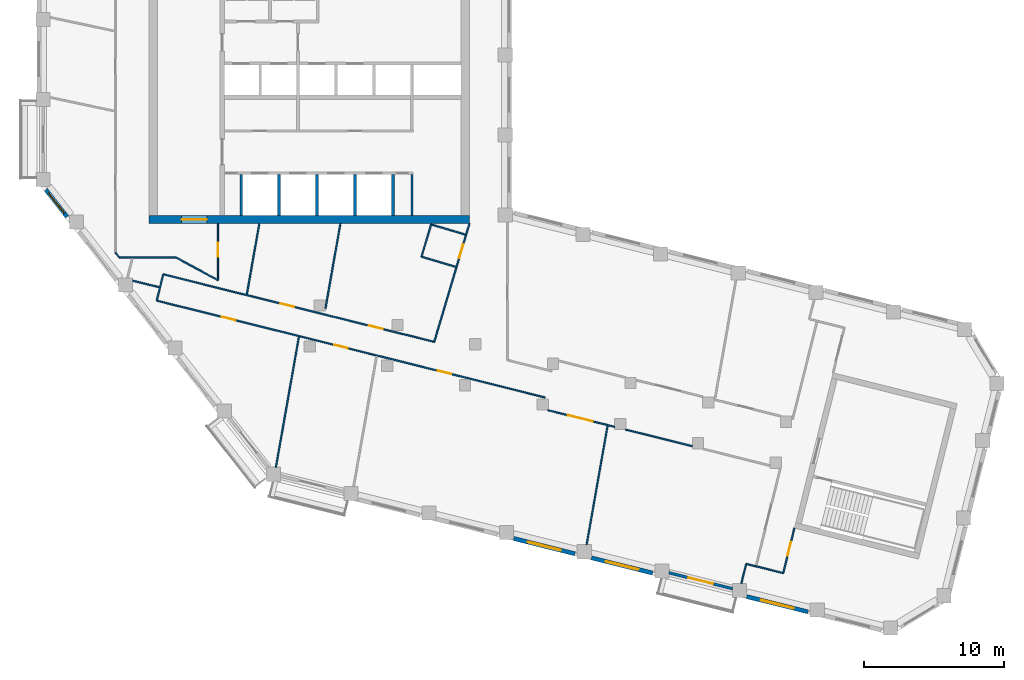
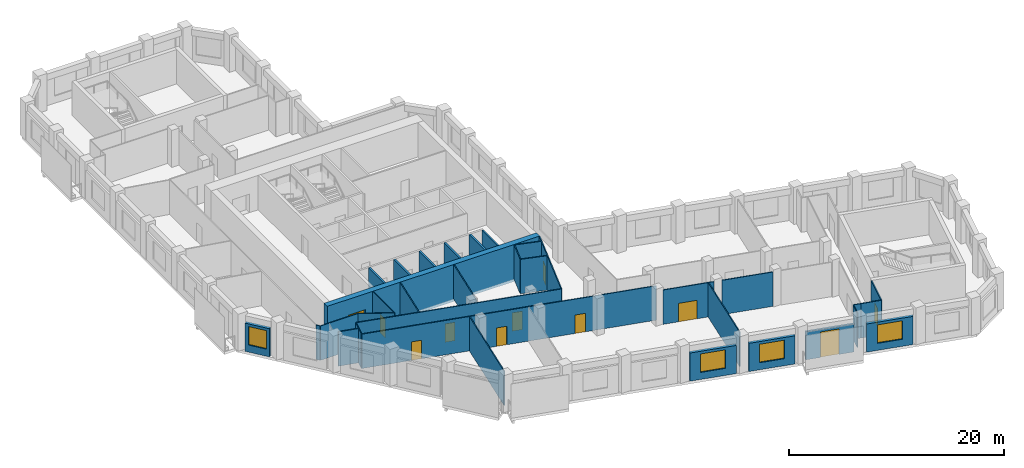
# One storey, part 3 of 9: 34 walls, 11 doors, 4 windows, 15 openings.
"""IFC4 building model written with IfcOpenShell, lengths in metres."""

from ifc_helpers import new_model, si_unit, direction, frame, frame_2d, origin, place, context, subcontext, project, spatial, rectangle, extrude, material, layer, layer_set, type_object, element, fill, save


model = new_model("IFC4")

# Units and contexts
model_context = context("Model", 3, precision=1e-05, world=origin(), true_north=direction((0.0, 1.0)))
body_context = subcontext(model_context, "Body", "Model", "MODEL_VIEW")
ifc_project = project(units=[si_unit("LENGTHUNIT", "METRE"), si_unit("AREAUNIT", "SQUARE_METRE"), si_unit("VOLUMEUNIT", "CUBIC_METRE"), si_unit("PLANEANGLEUNIT", "RADIAN"), si_unit("MASSUNIT", "GRAM", prefix="KILO")], contexts=[model_context])

# Site, building, storey
site_placement = place(None, origin())
site = spatial("IfcSite", under=ifc_project, at=site_placement, CompositionType="ELEMENT")
building_placement = place(site_placement, origin())
building = spatial("IfcBuilding", under=site, at=building_placement, Name="Meshkara Civic Tower", CompositionType="ELEMENT")
storey_placement = place(building_placement, frame((0.0, 0.0, 294.0)))
storey = spatial("IfcBuildingStorey", under=building, at=storey_placement, Name="L67", CompositionType="ELEMENT", Elevation=294.0)

# Wall
ifc_material_1 = material(Name="Blockwork", Category="masonry")
ifc_layer_1 = layer(ifc_material_1, 0.14990234375)
ifc_layer_set_1 = layer_set([ifc_layer_1], Name="Core partition 150")
wall_type_1 = type_object("IfcWallType", Name="Core partition 150", PredefinedType="PARTITIONING", material=ifc_layer_set_1)
wall_1_placement = place(storey_placement, frame((26.699951171875, 14.699951171875, 0.0), z_axis=(0.0, 0.0, 1.0), x_axis=(0.0, 1.0, 0.0)))
element("IfcWall", 1, at=wall_1_placement, inside=storey, type_object=wall_type_1, Name="L67-C024", PredefinedType="PARTITIONING", context=body_context, shape_type="SweptSolid", body=[
    extrude(rectangle(XDim=2.900146484375, YDim=0.14990234375, at=frame_2d((1.4501953125, 0.0))), origin(), (0.0, 0.0, 1.0), 3.89990234375),
])

# Wall, opening, door
ifc_material_2 = material(Name="Concrete C60", Category="concrete")
ifc_layer_2 = layer(ifc_material_2, 0.60009765625)
ifc_layer_set_2 = layer_set([ifc_layer_2], Name="Core ring wall 600 C60")
wall_type_2 = type_object("IfcWallType", Name="Core ring wall 600 C60", PredefinedType="SHEAR", material=ifc_layer_set_2)
wall_2_placement = place(storey_placement, frame((8.0, 14.39990234375, -0.300048828125), z_axis=(0.0, 0.0, 1.0), x_axis=(1.0, 0.0, 0.0)))
wall_2 = element("IfcWall", 2, at=wall_2_placement, inside=storey, type_object=wall_type_2, Name="L67-C001", PredefinedType="SHEAR", context=body_context, shape_type="SweptSolid", body=[
    extrude(rectangle(XDim=22.800048828125, YDim=0.60009765625, at=frame_2d((11.39990234375, 0.0))), origin(), (0.0, 0.0, 1.0), 4.199951171875),
])
opening_1_placement = place(wall_2_placement, frame((2.300048828125, 0.0, 0.300048828125)))
opening_1 = element("IfcOpeningElement", 3, at=opening_1_placement, cuts=wall_2, Name="Opening L67-K021", PredefinedType="OPENING", context=body_context, shape_type="SweptSolid", body=[
    extrude(rectangle(XDim=1.800048828125, YDim=2.10009765625, at=frame_2d((0.89990234375, 1.050048828125))), frame((0.0, 0.31005859375, 0.0), z_axis=(0.0, -1.0, 0.0), x_axis=(1.0, 0.0, 0.0)), (0.0, 0.0, 1.0), 0.6201171875),
])
ifc_material_3 = material(Name="Fire-rated door leaf in steel frame", Category="steel")
door_type_1 = type_object("IfcDoorType", Name="Core double door 1800 EI 60", OperationType="DOUBLE_DOOR_SINGLE_SWING", PredefinedType="DOOR", material=ifc_material_3)
door_1_placement = place(opening_1_placement, origin())
door_1 = element("IfcDoor", 4, at=door_1_placement, inside=storey, type_object=door_type_1, Name="L67-K021", OperationType="DOUBLE_DOOR_SINGLE_SWING", OverallHeight=2.10009765625, OverallWidth=1.800048828125, PredefinedType="DOOR", context=body_context, shape_type="SweptSolid", body=[
    extrude(rectangle(XDim=1.800048828125, YDim=2.10009765625, at=frame_2d((0.89990234375, 1.050048828125))), frame((0.0, 0.02490234375, 0.0), z_axis=(0.0, -1.0, 0.0), x_axis=(1.0, 0.0, 0.0)), (0.0, 0.0, 1.0), 0.050048828125),
])
fill(opening_1, door_1)

# Walls
ifc_material_4 = material(Name="Corridor wall 100")
ifc_layer_3 = layer(ifc_material_4, 0.10009765625)
ifc_layer_set_3 = layer_set([ifc_layer_3], Name="Corridor wall 100")
wall_type_3 = type_object("IfcWallType", Name="Corridor wall 100", PredefinedType="PARTITIONING", material=ifc_layer_set_3)
wall_3_placement = place(storey_placement, frame((5.60009765625, 12.04296875, 0.0), z_axis=(0.0, 0.0, 1.0), x_axis=(0.615415398102, -0.788202948344, 0.0)))
element("IfcWall", 5, at=wall_3_placement, inside=storey, type_object=wall_type_3, Name="L67-W004", PredefinedType="PARTITIONING", context=body_context, shape_type="SweptSolid", body=[
    extrude(rectangle(XDim=0.435302734375, YDim=0.10009765625, at=frame_2d((0.2177734375, 0.0))), origin(), (0.0, 0.0, 1.0), 3.89990234375),
])
wall_4_placement = place(storey_placement, frame((5.867919921875, 11.699951171875, 0.0), z_axis=(0.0, 0.0, 1.0), x_axis=(1.0, 0.0, 0.0)))
element("IfcWall", 6, at=wall_4_placement, inside=storey, type_object=wall_type_3, Name="L67-W006", PredefinedType="PARTITIONING", context=body_context, shape_type="SweptSolid", body=[
    extrude(rectangle(XDim=4.031982421875, YDim=0.10009765625, at=frame_2d((2.01611328125, 0.0))), origin(), (0.0, 0.0, 1.0), 3.89990234375),
])

# Wall, openings, doors
wall_5_placement = place(storey_placement, frame((8.534912109375, 8.6259765625, 0.0), z_axis=(0.0, 0.0, 1.0), x_axis=(0.970294986727, -0.241924861749, 0.0)))
wall_5 = element("IfcWall", 7, at=wall_5_placement, inside=storey, type_object=wall_type_3, Name="L67-W007", PredefinedType="PARTITIONING", context=body_context, shape_type="SweptSolid", body=[
    extrude(rectangle(XDim=28.500732421875, YDim=0.10009765625, at=frame_2d((14.25048828125, 0.0))), origin(), (0.0, 0.0, 1.0), 3.89990234375),
])
opening_2_placement = place(wall_5_placement, frame((13.02197265625, 0.0, 0.0)))
opening_2 = element("IfcOpeningElement", 8, at=opening_2_placement, cuts=wall_5, Name="Opening L67-D003", PredefinedType="OPENING", context=body_context, shape_type="SweptSolid", body=[
    extrude(rectangle(XDim=1.0, YDim=2.10009765625, at=frame_2d((0.5, 1.050048828125))), frame((0.0, 0.06005859375, 0.0), z_axis=(0.0, -1.0, 0.0), x_axis=(1.0, 0.0, 0.0)), (0.0, 0.0, 1.0), 0.1201171875),
])
opening_3_placement = place(wall_5_placement, frame((20.6220703125, 0.0, 0.0)))
opening_3 = element("IfcOpeningElement", 9, at=opening_3_placement, cuts=wall_5, Name="Opening L67-D004", PredefinedType="OPENING", context=body_context, shape_type="SweptSolid", body=[
    extrude(rectangle(XDim=1.0, YDim=2.10009765625, at=frame_2d((0.5, 1.050048828125))), frame((0.0, 0.06005859375, 0.0), z_axis=(0.0, -1.0, 0.0), x_axis=(1.0, 0.0, 0.0)), (0.0, 0.0, 1.0), 0.1201171875),
])
opening_4_placement = place(wall_5_placement, frame((4.780029296875, 0.0, 0.0)))
opening_4 = element("IfcOpeningElement", 10, at=opening_4_placement, cuts=wall_5, Name="Opening L67-D009", PredefinedType="OPENING", context=body_context, shape_type="SweptSolid", body=[
    extrude(rectangle(XDim=1.0, YDim=2.10009765625, at=frame_2d((0.5, 1.050048828125))), frame((0.0, 0.06005859375, 0.0), z_axis=(0.0, -1.0, 0.0), x_axis=(1.0, 0.0, 0.0)), (0.0, 0.0, 1.0), 0.1201171875),
])
ifc_material_5 = material(Name="Door 1000 x 2100")
door_type_2 = type_object("IfcDoorType", Name="Door 1000 x 2100", OperationType="SINGLE_SWING_LEFT", PredefinedType="DOOR", material=ifc_material_5)
door_2_placement = place(opening_2_placement, origin())
door_2 = element("IfcDoor", 11, at=door_2_placement, inside=storey, type_object=door_type_2, Name="L67-D003", OperationType="SINGLE_SWING_LEFT", OverallHeight=2.10009765625, OverallWidth=1.0, PredefinedType="DOOR", context=body_context, shape_type="SweptSolid", body=[
    extrude(rectangle(XDim=1.0, YDim=2.10009765625, at=frame_2d((0.5, 1.050048828125))), frame((0.0, 0.02490234375, 0.0), z_axis=(0.0, -1.0, 0.0), x_axis=(1.0, 0.0, 0.0)), (0.0, 0.0, 1.0), 0.050048828125),
])
fill(opening_2, door_2)
door_3_placement = place(opening_3_placement, origin())
door_3 = element("IfcDoor", 12, at=door_3_placement, inside=storey, type_object=door_type_2, Name="L67-D004", OperationType="SINGLE_SWING_RIGHT", OverallHeight=2.10009765625, OverallWidth=1.0, PredefinedType="DOOR", context=body_context, shape_type="SweptSolid", body=[
    extrude(rectangle(XDim=1.0, YDim=2.10009765625, at=frame_2d((0.5, 1.050048828125))), frame((0.0, 0.02490234375, 0.0), z_axis=(0.0, -1.0, 0.0), x_axis=(1.0, 0.0, 0.0)), (0.0, 0.0, 1.0), 0.050048828125),
])
fill(opening_3, door_3)
door_4_placement = place(opening_4_placement, origin())
door_4 = element("IfcDoor", 13, at=door_4_placement, inside=storey, type_object=door_type_2, Name="L67-D009", OperationType="SINGLE_SWING_LEFT", OverallHeight=2.10009765625, OverallWidth=1.0, PredefinedType="DOOR", context=body_context, shape_type="SweptSolid", body=[
    extrude(rectangle(XDim=1.0, YDim=2.10009765625, at=frame_2d((0.5, 1.050048828125))), frame((0.0, 0.02490234375, 0.0), z_axis=(0.0, -1.0, 0.0), x_axis=(1.0, 0.0, 0.0)), (0.0, 0.0, 1.0), 0.050048828125),
])
fill(opening_4, door_4)

wall_6_placement = place(storey_placement, frame((9.001953125, 10.4990234375, 0.0), z_axis=(0.0, 0.0, 1.0), x_axis=(0.970298340477, -0.241911410372, 0.0)))
wall_6 = element("IfcWall", 14, at=wall_6_placement, inside=storey, type_object=wall_type_3, Name="L67-W008", PredefinedType="PARTITIONING", context=body_context, shape_type="SweptSolid", body=[
    extrude(rectangle(XDim=19.879638671875, YDim=0.10009765625, at=frame_2d((9.93994140625, 0.0))), origin(), (0.0, 0.0, 1.0), 3.89990234375),
])
opening_5_placement = place(wall_6_placement, frame((8.596923828125, 0.0, 0.0)))
opening_5 = element("IfcOpeningElement", 15, at=opening_5_placement, cuts=wall_6, Name="Opening L67-D010", PredefinedType="OPENING", context=body_context, shape_type="SweptSolid", body=[
    extrude(rectangle(XDim=1.0, YDim=2.10009765625, at=frame_2d((0.5, 1.050048828125))), frame((0.0, 0.06005859375, 0.0), z_axis=(0.0, -1.0, 0.0), x_axis=(1.0, 0.0, 0.0)), (0.0, 0.0, 1.0), 0.1201171875),
])
opening_6_placement = place(wall_6_placement, frame((15.097900390625, 0.0, 0.0)))
opening_6 = element("IfcOpeningElement", 16, at=opening_6_placement, cuts=wall_6, Name="Opening L67-D011", PredefinedType="OPENING", context=body_context, shape_type="SweptSolid", body=[
    extrude(rectangle(XDim=1.0, YDim=2.10009765625, at=frame_2d((0.5, 1.050048828125))), frame((0.0, 0.06005859375, 0.0), z_axis=(0.0, -1.0, 0.0), x_axis=(1.0, 0.0, 0.0)), (0.0, 0.0, 1.0), 0.1201171875),
])
door_5_placement = place(opening_5_placement, origin())
door_5 = element("IfcDoor", 17, at=door_5_placement, inside=storey, type_object=door_type_2, Name="L67-D010", OperationType="SINGLE_SWING_RIGHT", OverallHeight=2.10009765625, OverallWidth=1.0, PredefinedType="DOOR", context=body_context, shape_type="SweptSolid", body=[
    extrude(rectangle(XDim=1.0, YDim=2.10009765625, at=frame_2d((0.5, 1.050048828125))), frame((0.0, 0.02490234375, 0.0), z_axis=(0.0, -1.0, 0.0), x_axis=(1.0, 0.0, 0.0)), (0.0, 0.0, 1.0), 0.050048828125),
])
fill(opening_5, door_5)
door_6_placement = place(opening_6_placement, origin())
door_6 = element("IfcDoor", 18, at=door_6_placement, inside=storey, type_object=door_type_2, Name="L67-D011", OperationType="SINGLE_SWING_LEFT", OverallHeight=2.10009765625, OverallWidth=1.0, PredefinedType="DOOR", context=body_context, shape_type="SweptSolid", body=[
    extrude(rectangle(XDim=1.0, YDim=2.10009765625, at=frame_2d((0.5, 1.050048828125))), frame((0.0, 0.02490234375, 0.0), z_axis=(0.0, -1.0, 0.0), x_axis=(1.0, 0.0, 0.0)), (0.0, 0.0, 1.0), 0.050048828125),
])
fill(opening_6, door_6)

# Walls
wall_7_placement = place(storey_placement, frame((9.001953125, 10.4990234375, 0.0), z_axis=(0.0, 0.0, 1.0), x_axis=(-0.241940418317, -0.970291107856, 0.0)))
element("IfcWall", 19, at=wall_7_placement, inside=storey, type_object=wall_type_3, Name="L67-W009", PredefinedType="PARTITIONING", context=body_context, shape_type="SweptSolid", body=[
    extrude(rectangle(XDim=1.930419921875, YDim=0.10009765625, at=frame_2d((0.96533203125, 0.0))), origin(), (0.0, 0.0, 1.0), 3.89990234375),
])
wall_8_placement = place(storey_placement, frame((9.89990234375, 11.699951171875, 0.0), z_axis=(0.0, 0.0, 1.0), x_axis=(0.87965147249, -0.475618846291, 0.0)))
element("IfcWall", 20, at=wall_8_placement, inside=storey, type_object=wall_type_3, Name="L67-W010", PredefinedType="PARTITIONING", context=body_context, shape_type="SweptSolid", body=[
    extrude(rectangle(XDim=3.410400390625, YDim=0.10009765625, at=frame_2d((1.705078125, 0.0))), origin(), (0.0, 0.0, 1.0), 3.89990234375),
])

# Wall, opening, door
wall_9_placement = place(storey_placement, frame((12.89990234375, 10.077880859375, 0.0), z_axis=(0.0, 0.0, 1.0), x_axis=(0.0, 1.0, 0.0)))
wall_9 = element("IfcWall", 21, at=wall_9_placement, inside=storey, type_object=wall_type_3, Name="L67-W015", PredefinedType="PARTITIONING", context=body_context, shape_type="SweptSolid", body=[
    extrude(rectangle(XDim=4.022216796875, YDim=0.10009765625, at=frame_2d((2.01123046875, 0.0))), origin(), (0.0, 0.0, 1.0), 3.89990234375),
])
opening_7_placement = place(wall_9_placement, frame((1.679931640625, 0.0, 0.0)))
opening_7 = element("IfcOpeningElement", 22, at=opening_7_placement, cuts=wall_9, Name="Opening L67-D014", PredefinedType="OPENING", context=body_context, shape_type="SweptSolid", body=[
    extrude(rectangle(XDim=1.0, YDim=2.10009765625, at=frame_2d((0.5, 1.050048828125))), frame((0.0, 0.06005859375, 0.0), z_axis=(0.0, -1.0, 0.0), x_axis=(1.0, 0.0, 0.0)), (0.0, 0.0, 1.0), 0.1201171875),
])
door_7_placement = place(opening_7_placement, origin())
door_7 = element("IfcDoor", 23, at=door_7_placement, inside=storey, type_object=door_type_2, Name="L67-D014", OperationType="SINGLE_SWING_LEFT", OverallHeight=2.10009765625, OverallWidth=1.0, PredefinedType="DOOR", context=body_context, shape_type="SweptSolid", body=[
    extrude(rectangle(XDim=1.0, YDim=2.10009765625, at=frame_2d((0.5, 1.050048828125))), frame((0.0, 0.02490234375, 0.0), z_axis=(0.0, -1.0, 0.0), x_axis=(1.0, 0.0, 0.0)), (0.0, 0.0, 1.0), 0.050048828125),
])
fill(opening_7, door_7)

wall_10_placement = place(storey_placement, frame((28.291015625, 5.68994140625, 0.0), z_axis=(0.0, 0.0, 1.0), x_axis=(0.28588265334, 0.958264633867, 0.0)))
wall_10 = element("IfcWall", 24, at=wall_10_placement, inside=storey, type_object=wall_type_3, Name="L67-W018", PredefinedType="PARTITIONING", context=body_context, shape_type="SweptSolid", body=[
    extrude(rectangle(XDim=8.7763671875, YDim=0.10009765625, at=frame_2d((4.38818359375, 0.0))), origin(), (0.0, 0.0, 1.0), 3.89990234375),
])
opening_8_placement = place(wall_10_placement, frame((6.22998046875, 0.0, 0.0)))
opening_8 = element("IfcOpeningElement", 25, at=opening_8_placement, cuts=wall_10, Name="Opening L67-D015", PredefinedType="OPENING", context=body_context, shape_type="SweptSolid", body=[
    extrude(rectangle(XDim=1.0, YDim=2.10009765625, at=frame_2d((0.5, 1.050048828125))), frame((0.0, 0.06005859375, 0.0), z_axis=(0.0, -1.0, 0.0), x_axis=(1.0, 0.0, 0.0)), (0.0, 0.0, 1.0), 0.1201171875),
])
door_8_placement = place(opening_8_placement, origin())
door_8 = element("IfcDoor", 26, at=door_8_placement, inside=storey, type_object=door_type_2, Name="L67-D015", OperationType="SINGLE_SWING_LEFT", OverallHeight=2.10009765625, OverallWidth=1.0, PredefinedType="DOOR", context=body_context, shape_type="SweptSolid", body=[
    extrude(rectangle(XDim=1.0, YDim=2.10009765625, at=frame_2d((0.5, 1.050048828125))), frame((0.0, 0.02490234375, 0.0), z_axis=(0.0, -1.0, 0.0), x_axis=(1.0, 0.0, 0.0)), (0.0, 0.0, 1.0), 0.050048828125),
])
fill(opening_8, door_8)

wall_11_placement = place(storey_placement, frame((36.3798828125, 0.822998046875, 0.0), z_axis=(0.0, 0.0, 1.0), x_axis=(0.970311839682, -0.241857259087, 0.0)))
wall_11 = element("IfcWall", 27, at=wall_11_placement, inside=storey, type_object=wall_type_3, Name="L67-W021", PredefinedType="PARTITIONING", context=body_context, shape_type="SweptSolid", body=[
    extrude(rectangle(XDim=4.911865234375, YDim=0.10009765625, at=frame_2d((2.4560546875, 0.0))), origin(), (0.0, 0.0, 1.0), 3.89990234375),
])
opening_9_placement = place(wall_11_placement, frame((1.47998046875, 0.0, 0.0)))
opening_9 = element("IfcOpeningElement", 28, at=opening_9_placement, cuts=wall_11, Name="Opening L67-D005", PredefinedType="OPENING", context=body_context, shape_type="SweptSolid", body=[
    extrude(rectangle(XDim=1.800048828125, YDim=2.10009765625, at=frame_2d((0.89990234375, 1.050048828125))), frame((0.0, 0.06005859375, 0.0), z_axis=(0.0, -1.0, 0.0), x_axis=(1.0, 0.0, 0.0)), (0.0, 0.0, 1.0), 0.1201171875),
])
ifc_material_6 = material(Name="Door pair 1800 x 2100")
door_type_3 = type_object("IfcDoorType", Name="Door pair 1800 x 2100", OperationType="SINGLE_SWING_LEFT", PredefinedType="DOOR", material=ifc_material_6)
door_9_placement = place(opening_9_placement, origin())
door_9 = element("IfcDoor", 29, at=door_9_placement, inside=storey, type_object=door_type_3, Name="L67-D005", OperationType="DOUBLE_DOOR_SINGLE_SWING", OverallHeight=2.10009765625, OverallWidth=1.800048828125, PredefinedType="DOOR", context=body_context, shape_type="SweptSolid", body=[
    extrude(rectangle(XDim=1.800048828125, YDim=2.10009765625, at=frame_2d((0.89990234375, 1.050048828125))), frame((0.0, 0.02490234375, 0.0), z_axis=(0.0, -1.0, 0.0), x_axis=(1.0, 0.0, 0.0)), (0.0, 0.0, 1.0), 0.050048828125),
])
fill(opening_9, door_9)

# Walls
wall_12_placement = place(storey_placement, frame((41.9130859375, -0.555908203125, 0.0), z_axis=(0.0, 0.0, 1.0), x_axis=(0.970285656006, -0.241962281665, 0.0)))
element("IfcWall", 30, at=wall_12_placement, inside=storey, type_object=wall_type_3, Name="L67-W023", PredefinedType="PARTITIONING", context=body_context, shape_type="SweptSolid", body=[
    extrude(rectangle(XDim=4.909912109375, YDim=0.10009765625, at=frame_2d((2.455078125, 0.0))), origin(), (0.0, 0.0, 1.0), 3.89990234375),
])
wall_13_placement = place(storey_placement, frame((51.200927734375, -10.2919921875, 0.0), z_axis=(0.0, 0.0, 1.0), x_axis=(0.970307382734, -0.241875139301, 0.0)))
element("IfcWall", 31, at=wall_13_placement, inside=storey, type_object=wall_type_3, Name="L67-W027", PredefinedType="PARTITIONING", context=body_context, shape_type="SweptSolid", body=[
    extrude(rectangle(XDim=2.00048828125, YDim=0.10009765625, at=frame_2d((1.000244140625, 0.0))), origin(), (0.0, 0.0, 1.0), 3.89990234375),
])

# Wall, opening, door
wall_14_placement = place(storey_placement, frame((53.14208984375, -10.77587890625, 0.0), z_axis=(0.0, 0.0, 1.0), x_axis=(0.241786986316, 0.970329352977, 0.0)))
wall_14 = element("IfcWall", 32, at=wall_14_placement, inside=storey, type_object=wall_type_3, Name="L67-W030", PredefinedType="PARTITIONING", context=body_context, shape_type="SweptSolid", body=[
    extrude(rectangle(XDim=3.2998046875, YDim=0.10009765625, at=frame_2d((1.64990234375, 0.0))), origin(), (0.0, 0.0, 1.0), 3.89990234375),
])
opening_10_placement = place(wall_14_placement, frame((1.280029296875, 0.0, 0.0)))
opening_10 = element("IfcOpeningElement", 33, at=opening_10_placement, cuts=wall_14, Name="Opening L67-D002", PredefinedType="OPENING", context=body_context, shape_type="SweptSolid", body=[
    extrude(rectangle(XDim=1.0, YDim=2.10009765625, at=frame_2d((0.5, 1.050048828125))), frame((0.0, 0.06005859375, 0.0), z_axis=(0.0, -1.0, 0.0), x_axis=(1.0, 0.0, 0.0)), (0.0, 0.0, 1.0), 0.1201171875),
])
door_10_placement = place(opening_10_placement, origin())
door_10 = element("IfcDoor", 34, at=door_10_placement, inside=storey, type_object=door_type_2, Name="L67-D002", OperationType="SINGLE_SWING_LEFT", OverallHeight=2.10009765625, OverallWidth=1.0, PredefinedType="DOOR", context=body_context, shape_type="SweptSolid", body=[
    extrude(rectangle(XDim=1.0, YDim=2.10009765625, at=frame_2d((0.5, 1.050048828125))), frame((0.0, 0.02490234375, 0.0), z_axis=(0.0, -1.0, 0.0), x_axis=(1.0, 0.0, 0.0)), (0.0, 0.0, 1.0), 0.050048828125),
])
fill(opening_10, door_10)

# Wall, opening, window
ifc_material_7 = material(Name="Insulated infill panel with bronze anodised aluminium cladding", Category="aluminium")
ifc_layer_4 = layer(ifc_material_7, 0.300048828125)
ifc_layer_set_4 = layer_set([ifc_layer_4], Name="EXTERNAL INFILL WALL 300")
wall_type_4 = type_object("IfcWallType", Name="EXTERNAL INFILL WALL 300", PredefinedType="SOLIDWALL", material=ifc_layer_set_4)
wall_15_placement = place(storey_placement, frame((0.64599609375, 16.51708984375, 0.0), z_axis=(0.0, 0.0, 1.0), x_axis=(0.615610986717, -0.788050197026, 0.0)))
wall_15 = element("IfcWall", 35, at=wall_15_placement, inside=storey, type_object=wall_type_4, Name="External wall", PredefinedType="SOLIDWALL", context=body_context, shape_type="SweptSolid", body=[
    extrude(rectangle(XDim=2.4365234375, YDim=0.300048828125, at=frame_2d((1.21826171875, 0.0))), origin(), (0.0, 0.0, 1.0), 3.199951171875),
])
opening_11_placement = place(wall_15_placement, frame((0.318115234375, 0.0, 0.800048828125)))
opening_11 = element("IfcOpeningElement", 36, at=opening_11_placement, cuts=wall_15, Name="Opening W9", PredefinedType="OPENING", context=body_context, shape_type="SweptSolid", body=[
    extrude(rectangle(XDim=1.800048828125, YDim=2.10009765625, at=frame_2d((0.89990234375, 1.050048828125))), frame((0.0, 0.159912109375, 0.0), z_axis=(0.0, -1.0, 0.0), x_axis=(1.0, 0.0, 0.0)), (0.0, 0.0, 1.0), 0.320068359375),
])
ifc_material_8 = material(Name="Tinted double glazing", Category="glass")
window_type_1 = type_object("IfcWindowType", Name="WINDOW 1800x2100", PartitioningType="DOUBLE_PANEL_VERTICAL", PredefinedType="WINDOW", material=ifc_material_8)
window_1_placement = place(opening_11_placement, origin())
window_1 = element("IfcWindow", 37, at=window_1_placement, inside=storey, type_object=window_type_1, Name="Window", OverallHeight=2.10009765625, OverallWidth=1.800048828125, PartitioningType="DOUBLE_PANEL_VERTICAL", PredefinedType="WINDOW", context=body_context, shape_type="SweptSolid", body=[
    extrude(rectangle(XDim=1.800048828125, YDim=2.10009765625, at=frame_2d((0.89990234375, 1.050048828125))), frame((0.0, 0.030029296875, 0.0), z_axis=(0.0, -1.0, 0.0), x_axis=(1.0, 0.0, 0.0)), (0.0, 0.0, 1.0), 0.06005859375),
])
fill(opening_11, window_1)

wall_16_placement = place(storey_placement, frame((33.958984375, -8.31201171875, 0.0), z_axis=(0.0, 0.0, 1.0), x_axis=(0.970276766004, -0.241997928406, 0.0)))
wall_16 = element("IfcWall", 38, at=wall_16_placement, inside=storey, type_object=wall_type_4, Name="External wall", PredefinedType="SOLIDWALL", context=body_context, shape_type="SweptSolid", body=[
    extrude(rectangle(XDim=4.4873046875, YDim=0.300048828125, at=frame_2d((2.24365234375, 0.0))), origin(), (0.0, 0.0, 1.0), 3.199951171875),
])
opening_12_placement = place(wall_16_placement, frame((1.0439453125, 0.0, 0.800048828125)))
opening_12 = element("IfcOpeningElement", 39, at=opening_12_placement, cuts=wall_16, Name="Opening W7", PredefinedType="OPENING", context=body_context, shape_type="SweptSolid", body=[
    extrude(rectangle(XDim=2.39990234375, YDim=2.10009765625, at=frame_2d((1.199951171875, 1.050048828125))), frame((0.0, 0.159912109375, 0.0), z_axis=(0.0, -1.0, 0.0), x_axis=(1.0, 0.0, 0.0)), (0.0, 0.0, 1.0), 0.320068359375),
])
ifc_material_9 = material(Name="Tinted double glazing", Category="glass")
window_type_2 = type_object("IfcWindowType", Name="WINDOW 2400x2100", PartitioningType="DOUBLE_PANEL_VERTICAL", PredefinedType="WINDOW", material=ifc_material_9)
window_2_placement = place(opening_12_placement, origin())
window_2 = element("IfcWindow", 40, at=window_2_placement, inside=storey, type_object=window_type_2, Name="Window", OverallHeight=2.10009765625, OverallWidth=2.39990234375, PartitioningType="DOUBLE_PANEL_VERTICAL", PredefinedType="WINDOW", context=body_context, shape_type="SweptSolid", body=[
    extrude(rectangle(XDim=2.39990234375, YDim=2.10009765625, at=frame_2d((1.199951171875, 1.050048828125))), frame((0.0, 0.030029296875, 0.0), z_axis=(0.0, -1.0, 0.0), x_axis=(1.0, 0.0, 0.0)), (0.0, 0.0, 1.0), 0.06005859375),
])
fill(opening_12, window_2)

wall_17_placement = place(storey_placement, frame((39.489990234375, -9.69189453125, 0.0), z_axis=(0.0, 0.0, 1.0), x_axis=(0.970302346682, -0.241895341054, 0.0)))
wall_17 = element("IfcWall", 41, at=wall_17_placement, inside=storey, type_object=wall_type_4, Name="External wall", PredefinedType="SOLIDWALL", context=body_context, shape_type="SweptSolid", body=[
    extrude(rectangle(XDim=4.486328125, YDim=0.300048828125, at=frame_2d((2.2431640625, 0.0))), origin(), (0.0, 0.0, 1.0), 3.199951171875),
])
opening_13_placement = place(wall_17_placement, frame((1.0439453125, 0.0, 0.800048828125)))
opening_13 = element("IfcOpeningElement", 42, at=opening_13_placement, cuts=wall_17, Name="Opening W7", PredefinedType="OPENING", context=body_context, shape_type="SweptSolid", body=[
    extrude(rectangle(XDim=2.39990234375, YDim=2.10009765625, at=frame_2d((1.199951171875, 1.050048828125))), frame((0.0, 0.159912109375, 0.0), z_axis=(0.0, -1.0, 0.0), x_axis=(1.0, 0.0, 0.0)), (0.0, 0.0, 1.0), 0.320068359375),
])
window_3_placement = place(opening_13_placement, origin())
window_3 = element("IfcWindow", 43, at=window_3_placement, inside=storey, type_object=window_type_2, Name="Window", OverallHeight=2.10009765625, OverallWidth=2.39990234375, PartitioningType="DOUBLE_PANEL_VERTICAL", PredefinedType="WINDOW", context=body_context, shape_type="SweptSolid", body=[
    extrude(rectangle(XDim=2.39990234375, YDim=2.10009765625, at=frame_2d((1.199951171875, 1.050048828125))), frame((0.0, 0.030029296875, 0.0), z_axis=(0.0, -1.0, 0.0), x_axis=(1.0, 0.0, 0.0)), (0.0, 0.0, 1.0), 0.06005859375),
])
fill(opening_13, window_3)

wall_18_placement = place(storey_placement, frame((50.551025390625, -12.448974609375, 0.0), z_axis=(0.0, 0.0, 1.0), x_axis=(0.970276766004, -0.241997928406, 0.0)))
wall_18 = element("IfcWall", 44, at=wall_18_placement, inside=storey, type_object=wall_type_4, Name="External wall", PredefinedType="SOLIDWALL", context=body_context, shape_type="SweptSolid", body=[
    extrude(rectangle(XDim=4.4873046875, YDim=0.300048828125, at=frame_2d((2.24365234375, 0.0))), origin(), (0.0, 0.0, 1.0), 3.199951171875),
])
opening_14_placement = place(wall_18_placement, frame((1.0439453125, 0.0, 0.800048828125)))
opening_14 = element("IfcOpeningElement", 45, at=opening_14_placement, cuts=wall_18, Name="Opening W7", PredefinedType="OPENING", context=body_context, shape_type="SweptSolid", body=[
    extrude(rectangle(XDim=2.39990234375, YDim=2.10009765625, at=frame_2d((1.199951171875, 1.050048828125))), frame((0.0, 0.159912109375, 0.0), z_axis=(0.0, -1.0, 0.0), x_axis=(1.0, 0.0, 0.0)), (0.0, 0.0, 1.0), 0.320068359375),
])
window_4_placement = place(opening_14_placement, origin())
window_4 = element("IfcWindow", 46, at=window_4_placement, inside=storey, type_object=window_type_2, Name="Window", OverallHeight=2.10009765625, OverallWidth=2.39990234375, PartitioningType="DOUBLE_PANEL_VERTICAL", PredefinedType="WINDOW", context=body_context, shape_type="SweptSolid", body=[
    extrude(rectangle(XDim=2.39990234375, YDim=2.10009765625, at=frame_2d((1.199951171875, 1.050048828125))), frame((0.0, 0.030029296875, 0.0), z_axis=(0.0, -1.0, 0.0), x_axis=(1.0, 0.0, 0.0)), (0.0, 0.0, 1.0), 0.06005859375),
])
fill(opening_14, window_4)

# Wall, opening, door
ifc_material_10 = material(Name="Insulated infill panel with bronze anodised aluminium cladding", Category="aluminium")
ifc_layer_5 = layer(ifc_material_10, 0.199951171875)
ifc_layer_set_5 = layer_set([ifc_layer_5], Name="LOGGIA BACK WALL 200")
wall_type_5 = type_object("IfcWallType", Name="LOGGIA BACK WALL 200", PredefinedType="SOLIDWALL", material=ifc_layer_set_5)
wall_19_placement = place(storey_placement, frame((45.00390625, -10.757080078125, 0.0), z_axis=(0.0, 0.0, 1.0), x_axis=(0.970286870015, -0.241957413354, 0.0)))
wall_19 = element("IfcWall", 47, at=wall_19_placement, inside=storey, type_object=wall_type_5, Name="Loggia wall", PredefinedType="SOLIDWALL", context=body_context, shape_type="SweptSolid", body=[
    extrude(rectangle(XDim=4.669677734375, YDim=0.199951171875, at=frame_2d((2.3349609375, 0.0))), origin(), (0.0, 0.0, 1.0), 3.199951171875),
])
opening_15_placement = place(wall_19_placement, frame((1.43408203125, 0.0, 0.0)))
opening_15 = element("IfcOpeningElement", 48, at=opening_15_placement, cuts=wall_19, Name="Opening L67-L005", PredefinedType="OPENING", context=body_context, shape_type="SweptSolid", body=[
    extrude(rectangle(XDim=1.800048828125, YDim=2.89990234375, at=frame_2d((0.89990234375, 1.449951171875))), frame((0.0, 0.10986328125, 0.0), z_axis=(0.0, -1.0, 0.0), x_axis=(1.0, 0.0, 0.0)), (0.0, 0.0, 1.0), 0.219970703125),
])
ifc_material_11 = material(Name="Tinted double glazing", Category="glass")
door_type_4 = type_object("IfcDoorType", Name="LOGGIA DOOR 1800x2900", OperationType="DOUBLE_DOOR_SINGLE_SWING", PredefinedType="DOOR", material=ifc_material_11)
door_11_placement = place(opening_15_placement, origin())
door_11 = element("IfcDoor", 49, at=door_11_placement, inside=storey, type_object=door_type_4, Name="L67-L005", OperationType="DOUBLE_DOOR_SINGLE_SWING", OverallHeight=2.89990234375, OverallWidth=1.800048828125, PredefinedType="DOOR", context=body_context, shape_type="SweptSolid", body=[
    extrude(rectangle(XDim=1.800048828125, YDim=2.89990234375, at=frame_2d((0.89990234375, 1.449951171875))), frame((0.0, 0.02490234375, 0.0), z_axis=(0.0, -1.0, 0.0), x_axis=(1.0, 0.0, 0.0)), (0.0, 0.0, 1.0), 0.050048828125),
])
fill(opening_15, door_11)

# Walls
ifc_material_12 = material(Name="Partition 100")
ifc_layer_6 = layer(ifc_material_12, 0.10009765625)
ifc_layer_set_6 = layer_set([ifc_layer_6], Name="Partition 100")
wall_type_6 = type_object("IfcWallType", Name="Partition 100", PredefinedType="PARTITIONING", material=ifc_layer_set_6)
wall_20_placement = place(storey_placement, frame((8.719970703125, 9.574951171875, 0.0), z_axis=(0.0, 0.0, 1.0), x_axis=(-0.970274576003, 0.242006708918, 0.0)))
element("IfcWall", 50, at=wall_20_placement, inside=storey, type_object=wall_type_6, Name="L67-W040", PredefinedType="PARTITIONING", context=body_context, shape_type="SweptSolid", body=[
    extrude(rectangle(XDim=1.955078125, YDim=0.10009765625, at=frame_2d((0.9775390625, 0.0))), origin(), (0.0, 0.0, 1.0), 3.89990234375),
])
wall_21_placement = place(storey_placement, frame((14.950927734375, 9.071044921875, 0.0), z_axis=(0.0, 0.0, 1.0), x_axis=(0.173687149785, 0.984800880381, 0.0)))
element("IfcWall", 51, at=wall_21_placement, inside=storey, type_object=wall_type_6, Name="L67-W041", PredefinedType="PARTITIONING", context=body_context, shape_type="SweptSolid", body=[
    extrude(rectangle(XDim=5.106689453125, YDim=0.10009765625, at=frame_2d((2.55322265625, 0.0))), origin(), (0.0, 0.0, 1.0), 3.89990234375),
])
wall_22_placement = place(storey_placement, frame((17.02099609375, -3.238037109375, 0.0), z_axis=(0.0, 0.0, 1.0), x_axis=(0.173621363154, 0.984812480758, 0.0)))
element("IfcWall", 52, at=wall_22_placement, inside=storey, type_object=wall_type_6, Name="L67-W042", PredefinedType="PARTITIONING", context=body_context, shape_type="SweptSolid", body=[
    extrude(rectangle(XDim=9.428466796875, YDim=0.10009765625, at=frame_2d((4.71435546875, 0.0))), origin(), (0.0, 0.0, 1.0), 3.89990234375),
])
wall_23_placement = place(storey_placement, frame((20.549072265625, 8.070068359375, 0.0), z_axis=(0.0, 0.0, 1.0), x_axis=(0.173605636367, 0.984815253244, 0.0)))
element("IfcWall", 53, at=wall_23_placement, inside=storey, type_object=wall_type_6, Name="L67-W044", PredefinedType="PARTITIONING", context=body_context, shape_type="SweptSolid", body=[
    extrude(rectangle(XDim=6.123046875, YDim=0.10009765625, at=frame_2d((3.0615234375, 0.0))), origin(), (0.0, 0.0, 1.0), 3.89990234375),
])
wall_24_placement = place(storey_placement, frame((27.385986328125, 11.751953125, 0.0), z_axis=(0.0, 0.0, 1.0), x_axis=(0.285826425332, 0.958281406781, 0.0)))
element("IfcWall", 54, at=wall_24_placement, inside=storey, type_object=wall_type_6, Name="L67-W047", PredefinedType="PARTITIONING", context=body_context, shape_type="SweptSolid", body=[
    extrude(rectangle(XDim=2.400146484375, YDim=0.10009765625, at=frame_2d((1.2001953125, 0.0))), origin(), (0.0, 0.0, 1.0), 3.89990234375),
])
for number, where, z_axis, x_axis, name in (
    (55, (28.072021484375, 14.052001953125, 0.0), (0.0, 0.0, 1.0), (0.95828086131, -0.285828254108, 0.0), "L67-W048"),
    (56, (29.830078125, 11.02294921875, 0.0), (0.0, 0.0, 1.0), (-0.95828086131, 0.285828254108, 0.0), "L67-W049"),
):
    element("IfcWall", number, at=place(storey_placement, frame(where, z_axis=z_axis, x_axis=x_axis)), inside=storey, type_object=wall_type_6, Name=name, PredefinedType="PARTITIONING", context=body_context, shape_type="SweptSolid", body=[
        extrude(rectangle(XDim=2.550537109375, YDim=0.10009765625, at=frame_2d((1.275390625, 0.0))), origin(), (0.0, 0.0, 1.0), 3.89990234375),
    ])
wall_25_placement = place(storey_placement, frame((39.14404296875, -8.75390625, 0.0), z_axis=(0.0, 0.0, 1.0), x_axis=(0.173654024649, 0.984806722014, 0.0)))
element("IfcWall", 57, at=wall_25_placement, inside=storey, type_object=wall_type_6, Name="L67-W050", PredefinedType="PARTITIONING", context=body_context, shape_type="SweptSolid", body=[
    extrude(rectangle(XDim=8.591552734375, YDim=0.10009765625, at=frame_2d((4.2958984375, 0.0))), origin(), (0.0, 0.0, 1.0), 3.89990234375),
])
wall_26_placement = place(storey_placement, frame((50.159912109375, -11.511962890625, 0.0), z_axis=(0.0, 0.0, 1.0), x_axis=(0.241815333826, 0.970322288895, 0.0)))
element("IfcWall", 58, at=wall_26_placement, inside=storey, type_object=wall_type_6, Name="L67-W052", PredefinedType="PARTITIONING", context=body_context, shape_type="SweptSolid", body=[
    extrude(rectangle(XDim=1.435791015625, YDim=0.10009765625, at=frame_2d((0.7177734375, 0.0))), origin(), (0.0, 0.0, 1.0), 3.89990234375),
])
wall_27_placement = place(storey_placement, frame((50.507080078125, -10.118896484375, 0.0), z_axis=(0.0, 0.0, 1.0), x_axis=(0.970282083048, -0.241976609029, 0.0)))
element("IfcWall", 59, at=wall_27_placement, inside=storey, type_object=wall_type_6, Name="L67-W053", PredefinedType="PARTITIONING", context=body_context, shape_type="SweptSolid", body=[
    extrude(rectangle(XDim=0.719482421875, YDim=0.10009765625, at=frame_2d((0.35986328125, 0.0))), origin(), (0.0, 0.0, 1.0), 3.89990234375),
])
ifc_material_13 = material(Name="Concrete C40/50", Category="concrete")
ifc_layer_7 = layer(ifc_material_13, 0.199951171875)
ifc_layer_set_7 = layer_set([ifc_layer_7], Name="Shaft wall 200 C40/50")
wall_type_7 = type_object("IfcWallType", Name="Shaft wall 200 C40/50", PredefinedType="SOLIDWALL", material=ifc_layer_set_7)
for number, where, z_axis, x_axis, name in (
    (60, (14.550048828125, 14.699951171875, 0.0), (0.0, 0.0, 1.0), (0.0, 1.0, 0.0), "L67-C012"),
    (61, (17.25, 14.699951171875, 0.0), (0.0, 0.0, 1.0), (0.0, 1.0, 0.0), "L67-C015"),
    (62, (19.949951171875, 14.699951171875, 0.0), (0.0, 0.0, 1.0), (0.0, 1.0, 0.0), "L67-C017"),
    (63, (22.64990234375, 14.699951171875, 0.0), (0.0, 0.0, 1.0), (0.0, 1.0, 0.0), "L67-C021"),
    (64, (25.35009765625, 14.699951171875, 0.0), (0.0, 0.0, 1.0), (0.0, 1.0, 0.0), "L67-C023"),
):
    element("IfcWall", number, at=place(storey_placement, frame(where, z_axis=z_axis, x_axis=x_axis)), inside=storey, type_object=wall_type_7, Name=name, PredefinedType="SOLIDWALL", context=body_context, shape_type="SweptSolid", body=[
        extrude(rectangle(XDim=2.900146484375, YDim=0.199951171875, at=frame_2d((1.4501953125, 0.0))), origin(), (0.0, 0.0, 1.0), 3.89990234375),
    ])

save(model, "model.ifc")
